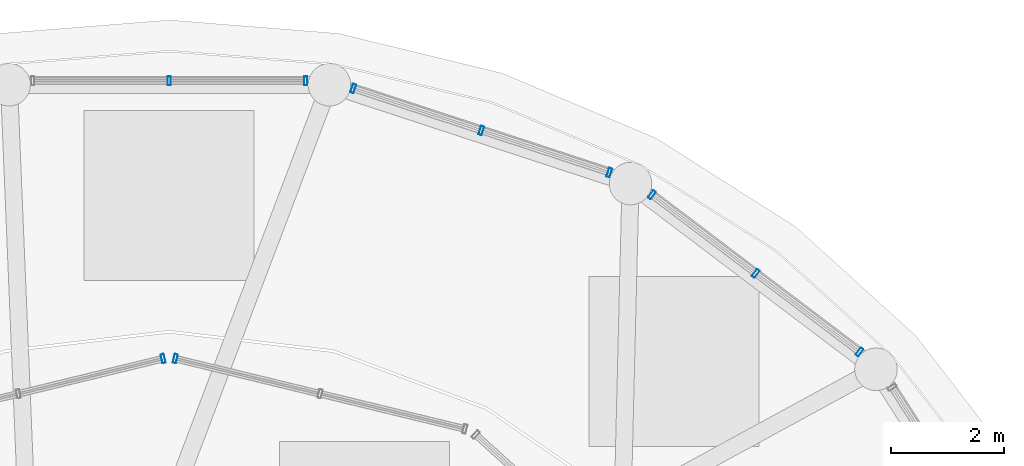
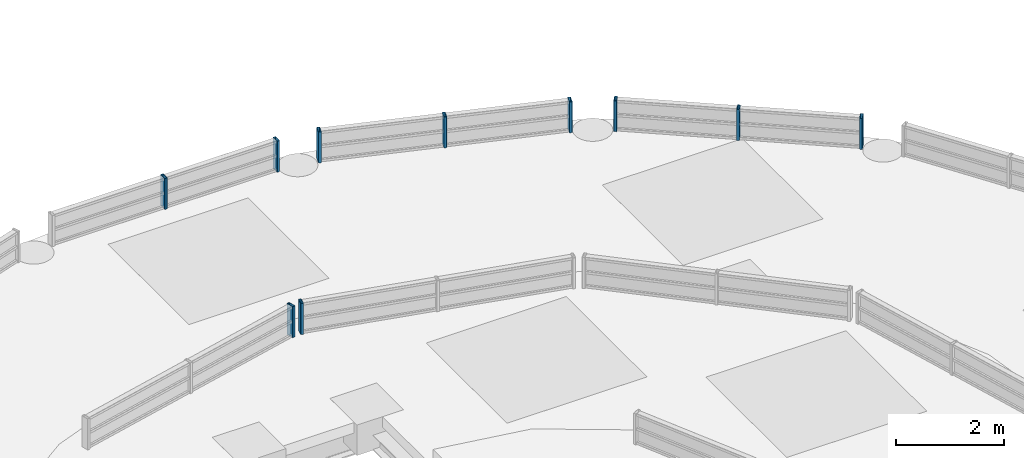
# One storey, part 16 of 21: 10 members, 5 elements without a shape of their own.
"""IFC4 building model written with IfcOpenShell, lengths in metres."""

from ifc_helpers import new_model, si_unit, direction, frame, origin, origin_2d, place, context, subcontext, project, spatial, hollow_rectangle, extrude, material, layer, layer_set, material_profile, profile_set, type_object, element, aggregate, save


model = new_model("IFC4")

# Units and contexts
model_context = context("Model", 3, precision=1e-05, world=origin(), true_north=direction((0.0, 1.0)))
body_context = subcontext(model_context, "Body", "Model", "MODEL_VIEW")
ifc_project = project(units=[si_unit("LENGTHUNIT", "METRE"), si_unit("AREAUNIT", "SQUARE_METRE"), si_unit("VOLUMEUNIT", "CUBIC_METRE"), si_unit("PLANEANGLEUNIT", "RADIAN"), si_unit("MASSUNIT", "GRAM", prefix="KILO")], contexts=[model_context])

# Site, building, storey
site_placement = place(None, origin())
site = spatial("IfcSite", under=ifc_project, at=site_placement, CompositionType="ELEMENT")
building_placement = place(site_placement, origin())
building = spatial("IfcBuilding", under=site, at=building_placement, Name="Kelanora Arch Commons", CompositionType="ELEMENT")
storey_placement = place(building_placement, frame((0.0, 0.0, 311.10009765625)))
storey = spatial("IfcBuildingStorey", under=building, at=storey_placement, Name="RF", CompositionType="ELEMENT", Elevation=311.10009765625)

# Curtain wall, members
ifc_material_1 = material(Name="Terracotta ceramic-fritted low-E glass and aluminium", Category="masonry")
ifc_layer = layer(ifc_material_1, 0.14990234375)
ifc_layer_set = layer_set([ifc_layer], Name="Terracotta ceramic-fritted low-E glass and aluminium")
curtain_wall_type = type_object("IfcCurtainWallType", Name="CW-SYS-06", PredefinedType="NOTDEFINED", material=ifc_layer_set)
curtain_wall_1_placement = place(storey_placement, origin())
curtain_wall_1 = element("IfcCurtainWall", 1, at=curtain_wall_1_placement, inside=storey, type_object=curtain_wall_type, Name="Sloped Glass Crown Lantern T1-03", PredefinedType="NOTDEFINED")
ifc_material_2 = material(Name="Powder-coated aluminium terracotta", Category="masonry")
ifc_material_profile = material_profile(ifc_material_2, hollow_rectangle(XDim=0.159912109375, YDim=0.06005859375, WallThickness=0.0048828125, InnerFilletRadius=0.0048828125, OuterFilletRadius=0.010009765625, at=origin_2d()), Name="CWM160x60")
ifc_profile_set = profile_set([ifc_material_profile], Name="Powder-coated aluminium terracotta")
member_type = type_object("IfcMemberType", Name="CWM-STD", PredefinedType="MULLION", material=ifc_profile_set)
member_1_placement = place(storey_placement, frame((86.181884765625, 67.74072265625, 0.58984375), z_axis=(0.0, 0.0, 1.0), x_axis=(-0.603568166432, -0.797311399937, 0.0)))
member_1 = element("IfcMember", 2, at=member_1_placement, type_object=member_type, Name="CW-06 mullion 1", PredefinedType="MULLION", context=body_context, shape_type="SweptSolid", body=[
    extrude(hollow_rectangle(XDim=0.159912109375, YDim=0.06005859375, WallThickness=0.0048828125, InnerFilletRadius=0.0048828125, OuterFilletRadius=0.010009765625, at=origin_2d()), origin(), (0.0, 0.0, 1.0), 0.699951171875),
])
member_2_placement = place(storey_placement, frame((84.349853515625, 69.12744140625, 0.58984375), z_axis=(0.0, 0.0, 1.0), x_axis=(-0.603568166432, -0.797311399937, 0.0)))
member_2 = element("IfcMember", 3, at=member_2_placement, type_object=member_type, Name="CW-06 mullion 2", PredefinedType="MULLION", context=body_context, shape_type="SweptSolid", body=[
    extrude(hollow_rectangle(XDim=0.159912109375, YDim=0.06005859375, WallThickness=0.0048828125, InnerFilletRadius=0.0048828125, OuterFilletRadius=0.010009765625, at=origin_2d()), origin(), (0.0, 0.0, 1.0), 0.699951171875),
])
member_3_placement = place(storey_placement, frame((82.517822265625, 70.514404296875, 0.58984375), z_axis=(0.0, 0.0, 1.0), x_axis=(-0.603568166432, -0.797311399937, 0.0)))
member_3 = element("IfcMember", 4, at=member_3_placement, type_object=member_type, Name="CW-06 mullion 3", PredefinedType="MULLION", context=body_context, shape_type="SweptSolid", body=[
    extrude(hollow_rectangle(XDim=0.159912109375, YDim=0.06005859375, WallThickness=0.0048828125, InnerFilletRadius=0.0048828125, OuterFilletRadius=0.010009765625, at=origin_2d()), origin(), (0.0, 0.0, 1.0), 0.699951171875),
])
aggregate(curtain_wall_1, [member_1, member_2, member_3])

curtain_wall_2_placement = place(storey_placement, origin())
curtain_wall_2 = element("IfcCurtainWall", 5, at=curtain_wall_2_placement, inside=storey, type_object=curtain_wall_type, Name="Sloped Glass Crown Lantern T1-04", PredefinedType="NOTDEFINED")
member_4_placement = place(storey_placement, frame((81.7666015625, 70.907958984375, 0.58984375), z_axis=(0.0, 0.0, 1.0), x_axis=(-0.311945267732, -0.950100073645, 0.0)))
member_4 = element("IfcMember", 6, at=member_4_placement, type_object=member_type, Name="CW-06 mullion 1", PredefinedType="MULLION", context=body_context, shape_type="SweptSolid", body=[
    extrude(hollow_rectangle(XDim=0.159912109375, YDim=0.06005859375, WallThickness=0.0048828125, InnerFilletRadius=0.0048828125, OuterFilletRadius=0.010009765625, at=origin_2d()), origin(), (0.0, 0.0, 1.0), 0.699951171875),
])
member_5_placement = place(storey_placement, frame((79.507080078125, 71.64990234375, 0.58984375), z_axis=(0.0, 0.0, 1.0), x_axis=(-0.311945267732, -0.950100073645, 0.0)))
member_5 = element("IfcMember", 7, at=member_5_placement, type_object=member_type, Name="CW-06 mullion 2", PredefinedType="MULLION", context=body_context, shape_type="SweptSolid", body=[
    extrude(hollow_rectangle(XDim=0.159912109375, YDim=0.06005859375, WallThickness=0.0048828125, InnerFilletRadius=0.0048828125, OuterFilletRadius=0.010009765625, at=origin_2d()), origin(), (0.0, 0.0, 1.0), 0.699951171875),
])
member_6_placement = place(storey_placement, frame((77.24755859375, 72.391845703125, 0.58984375), z_axis=(0.0, 0.0, 1.0), x_axis=(-0.311945267732, -0.950100073645, 0.0)))
member_6 = element("IfcMember", 8, at=member_6_placement, type_object=member_type, Name="CW-06 mullion 3", PredefinedType="MULLION", context=body_context, shape_type="SweptSolid", body=[
    extrude(hollow_rectangle(XDim=0.159912109375, YDim=0.06005859375, WallThickness=0.0048828125, InnerFilletRadius=0.0048828125, OuterFilletRadius=0.010009765625, at=origin_2d()), origin(), (0.0, 0.0, 1.0), 0.699951171875),
])
aggregate(curtain_wall_2, [member_4, member_5, member_6])

curtain_wall_3_placement = place(storey_placement, origin())
curtain_wall_3 = element("IfcCurtainWall", 9, at=curtain_wall_3_placement, inside=storey, type_object=curtain_wall_type, Name="Sloped Glass Crown Lantern T1-05", PredefinedType="NOTDEFINED")
member_7_placement = place(storey_placement, frame((76.4091796875, 72.52587890625, 0.58984375), z_axis=(0.0, 0.0, 1.0), x_axis=(0.0, -1.0, 0.0)))
member_7 = element("IfcMember", 10, at=member_7_placement, type_object=member_type, Name="CW-06 mullion 1", PredefinedType="MULLION", context=body_context, shape_type="SweptSolid", body=[
    extrude(hollow_rectangle(XDim=0.159912109375, YDim=0.06005859375, WallThickness=0.0048828125, InnerFilletRadius=0.0048828125, OuterFilletRadius=0.010009765625, at=origin_2d()), origin(), (0.0, 0.0, 1.0), 0.699951171875),
])
member_8_placement = place(storey_placement, frame((74.0, 72.52587890625, 0.58984375), z_axis=(0.0, 0.0, 1.0), x_axis=(0.0, -1.0, 0.0)))
member_8 = element("IfcMember", 11, at=member_8_placement, type_object=member_type, Name="CW-06 mullion 2", PredefinedType="MULLION", context=body_context, shape_type="SweptSolid", body=[
    extrude(hollow_rectangle(XDim=0.159912109375, YDim=0.06005859375, WallThickness=0.0048828125, InnerFilletRadius=0.0048828125, OuterFilletRadius=0.010009765625, at=origin_2d()), origin(), (0.0, 0.0, 1.0), 0.699951171875),
])
aggregate(curtain_wall_3, [member_7, member_8])

# Curtain wall, member
curtain_wall_4_placement = place(storey_placement, origin())
curtain_wall_4 = element("IfcCurtainWall", 12, at=curtain_wall_4_placement, inside=storey, type_object=curtain_wall_type, Name="Sloped Glass Crown Lantern T2-03", PredefinedType="NOTDEFINED")
member_9_placement = place(storey_placement, frame((74.10693359375, 67.6240234375, 0.68994140625), z_axis=(0.0, 0.0, 1.0), x_axis=(-0.235930888692, -0.971769836824, 0.0)))
member_9 = element("IfcMember", 13, at=member_9_placement, type_object=member_type, Name="CW-06 mullion 3", PredefinedType="MULLION", context=body_context, shape_type="SweptSolid", body=[
    extrude(hollow_rectangle(XDim=0.159912109375, YDim=0.06005859375, WallThickness=0.0048828125, InnerFilletRadius=0.0048828125, OuterFilletRadius=0.010009765625, at=origin_2d()), origin(), (0.0, 0.0, 1.0), 0.699951171875),
])
aggregate(curtain_wall_4, [member_9])

curtain_wall_5_placement = place(storey_placement, origin())
curtain_wall_5 = element("IfcCurtainWall", 14, at=curtain_wall_5_placement, inside=storey, type_object=curtain_wall_type, Name="Sloped Glass Crown Lantern T2-04", PredefinedType="NOTDEFINED")
member_10_placement = place(storey_placement, frame((73.89306640625, 67.6240234375, 0.68994140625), z_axis=(0.0, 0.0, 1.0), x_axis=(0.235930888692, -0.971769836824, 0.0)))
member_10 = element("IfcMember", 15, at=member_10_placement, type_object=member_type, Name="CW-06 mullion 1", PredefinedType="MULLION", context=body_context, shape_type="SweptSolid", body=[
    extrude(hollow_rectangle(XDim=0.159912109375, YDim=0.06005859375, WallThickness=0.0048828125, InnerFilletRadius=0.0048828125, OuterFilletRadius=0.010009765625, at=origin_2d()), origin(), (0.0, 0.0, 1.0), 0.699951171875),
])
aggregate(curtain_wall_5, [member_10])

save(model, "model.ifc")
